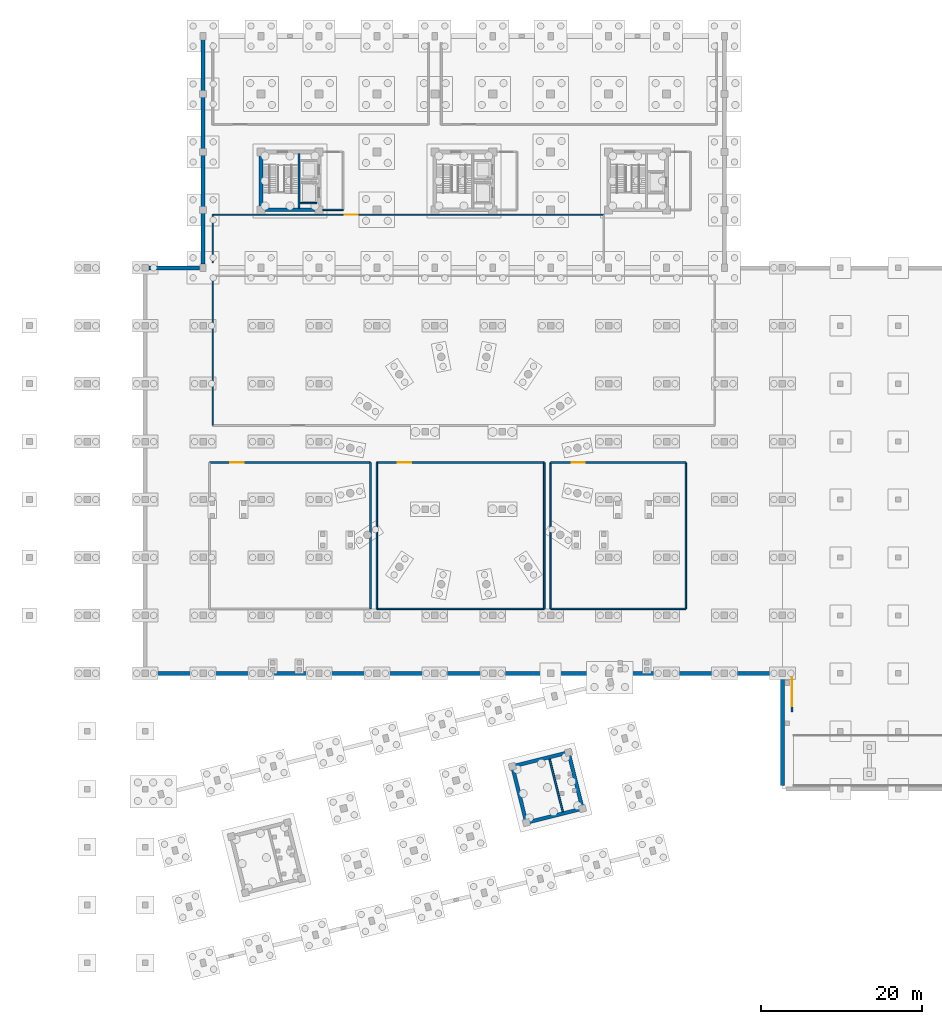
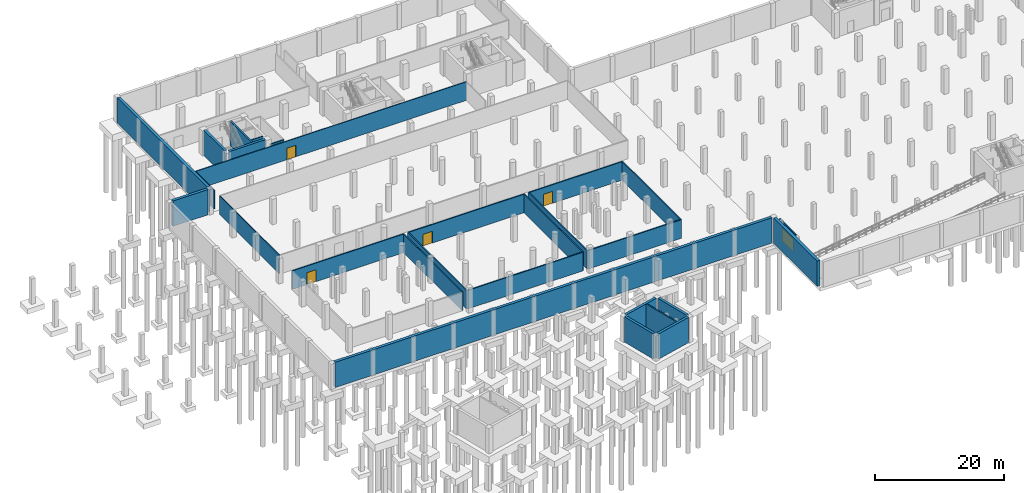
# One storey, part 10 of 19: 28 walls, 5 doors, 5 openings.
"""IFC4 building model written with IfcOpenShell, lengths in metres."""

from ifc_helpers import new_model, si_unit, direction, frame, frame_2d, origin, place, context, subcontext, project, spatial, rectangle, extrude, material, layer, layer_set, type_object, element, fill, save


model = new_model("IFC4")

# Units and contexts
model_context = context("Model", 3, precision=1e-05, world=origin(), true_north=direction((0.0, 1.0)))
body_context = subcontext(model_context, "Body", "Model", "MODEL_VIEW")
ifc_project = project(units=[si_unit("LENGTHUNIT", "METRE"), si_unit("AREAUNIT", "SQUARE_METRE"), si_unit("VOLUMEUNIT", "CUBIC_METRE"), si_unit("PLANEANGLEUNIT", "RADIAN"), si_unit("MASSUNIT", "GRAM", prefix="KILO")], contexts=[model_context])

# Site, building, storey
site_placement = place(None, origin())
site = spatial("IfcSite", under=ifc_project, at=site_placement, CompositionType="ELEMENT")
building_placement = place(site_placement, origin())
building = spatial("IfcBuilding", under=site, at=building_placement, Name="Qiaolan Assembly House", CompositionType="ELEMENT")
storey_placement = place(building_placement, frame((0.0, 0.0, -4.800048828125)))
storey = spatial("IfcBuildingStorey", under=building, at=storey_placement, Name="B1", CompositionType="ELEMENT", Elevation=-4.800048828125)

# Walls
ifc_material_1 = material(Name="Concrete C45/55", Category="concrete")
ifc_layer_1 = layer(ifc_material_1, 0.5)
ifc_layer_set_1 = layer_set([ifc_layer_1], Name="Concrete C45/55")
wall_type_1 = type_object("IfcWallType", Name="WAL-BSMT-500", PredefinedType="STANDARD", material=ifc_layer_set_1)
wall_1_placement = place(storey_placement, frame((108.0, 22.050048828125, 0.0), z_axis=(0.0, 0.0, 1.0), x_axis=(0.0, 1.0, 0.0)))
element("IfcWall", 1, at=wall_1_placement, inside=storey, type_object=wall_type_1, Name="BW-500 basement retaining wall LIB-W", PredefinedType="STANDARD", context=body_context, shape_type="SweptSolid", body=[
    extrude(rectangle(XDim=13.5, YDim=0.5, at=frame_2d((6.75, 0.0))), origin(), (0.0, 0.0, 1.0), 4.800048828125),
])
wall_2_placement = place(storey_placement, frame((107.550048828125, 36.0, 0.0), z_axis=(0.0, 0.0, 1.0), x_axis=(-1.0, 0.0, 0.0)))
element("IfcWall", 2, at=wall_2_placement, inside=storey, type_object=wall_type_1, Name="BW-500 basement retaining wall HALL-S", PredefinedType="STANDARD", context=body_context, shape_type="SweptSolid", body=[
    extrude(rectangle(XDim=78.300048828125, YDim=0.5, at=frame_2d((39.14990234375, 0.0))), origin(), (0.0, 0.0, 1.0), 4.800048828125),
])
wall_3_placement = place(storey_placement, frame((29.25, 86.39990234375, 0.0), z_axis=(0.0, 0.0, 1.0), x_axis=(1.0, 0.0, 0.0)))
element("IfcWall", 3, at=wall_3_placement, inside=storey, type_object=wall_type_1, Name="BW-500 basement retaining wall NW-SW", PredefinedType="STANDARD", context=body_context, shape_type="SweptSolid", body=[
    extrude(rectangle(XDim=6.300048828125, YDim=0.5, at=frame_2d((3.14990234375, 0.0))), origin(), (0.0, 0.0, 1.0), 4.800048828125),
])
wall_4_placement = place(storey_placement, frame((36.0, 86.85009765625, 0.0), z_axis=(0.0, 0.0, 1.0), x_axis=(0.0, 1.0, 0.0)))
element("IfcWall", 4, at=wall_4_placement, inside=storey, type_object=wall_type_1, Name="BW-500 basement retaining wall NW-W", PredefinedType="STANDARD", context=body_context, shape_type="SweptSolid", body=[
    extrude(rectangle(XDim=27.89990234375, YDim=0.5, at=frame_2d((13.949951171875, 0.0))), origin(), (0.0, 0.0, 1.0), 4.800048828125),
])
ifc_material_2 = material(Name="Concrete C50/60", Category="concrete")
ifc_layer_2 = layer(ifc_material_2, 0.449951171875)
ifc_layer_set_2 = layer_set([ifc_layer_2], Name="Concrete C50/60")
wall_type_2 = type_object("IfcWallType", Name="WAL-CORE-450", PredefinedType="SHEAR", material=ifc_layer_set_2)
for number, where, z_axis, x_axis, name in (
    (5, (43.550048828125, 93.60009765625, 0.0), (0.0, 0.0, 1.0), (1.0, 0.0, 0.0), "CW-450 shear core wall CORE-A S B1"),
    (6, (43.199951171875, 100.449951171875, 0.0), (0.0, 0.0, 1.0), (0.0, -1.0, 0.0), "CW-450 shear core wall CORE-A W B1"),
    (7, (76.5146484375, 17.521728515625, 0.0), (0.0, 0.0, 1.0), (0.970294759049, 0.241925774902, 0.0), "CW-450 shear core wall CORE-D S B1"),
    (8, (83.076416015625, 19.5185546875, 0.0), (0.0, 0.0, 1.0), (-0.241925774902, 0.970294759049, 0.0), "CW-450 shear core wall CORE-D E B1"),
    (9, (81.07958984375, 26.08056640625, 0.0), (0.0, 0.0, 1.0), (-0.970294759049, -0.241925774902, 0.0), "CW-450 shear core wall CORE-D N B1"),
    (10, (74.517822265625, 24.083740234375, 0.0), (0.0, 0.0, 1.0), (0.241925774902, -0.970294759049, 0.0), "CW-450 shear core wall CORE-D W B1"),
):
    element("IfcWall", number, at=place(storey_placement, frame(where, z_axis=z_axis, x_axis=x_axis)), inside=storey, type_object=wall_type_2, Name=name, PredefinedType="SHEAR", context=body_context, shape_type="SweptSolid", body=[
        extrude(rectangle(XDim=6.5, YDim=0.449951171875, at=frame_2d((3.25, 0.0))), origin(), (0.0, 0.0, 1.0), 4.800048828125),
    ])

# Wall, opening, door
ifc_material_3 = material(Name="Concrete C35/45", Category="concrete")
ifc_layer_3 = layer(ifc_material_3, 0.199951171875)
ifc_layer_set_3 = layer_set([ifc_layer_3], Name="Concrete C35/45")
wall_type_3 = type_object("IfcWallType", Name="WAL-LOBBY-200", PredefinedType="PARTITIONING", material=ifc_layer_set_3)
wall_5_placement = place(storey_placement, frame((109.199951171875, 31.199951171875, 0.0), z_axis=(0.0, 0.0, 1.0), x_axis=(0.0, 1.0, 0.0)))
wall_5 = element("IfcWall", 11, at=wall_5_placement, inside=storey, type_object=wall_type_3, Name="LW-200 B1 car park vehicle entry portal wall", PredefinedType="PARTITIONING", context=body_context, shape_type="SweptSolid", body=[
    extrude(rectangle(XDim=5.0, YDim=0.199951171875, at=frame_2d((2.5, 0.0))), origin(), (0.0, 0.0, 1.0), 3.85009765625),
])
opening_1_placement = place(wall_5_placement, frame((0.699951171875, 0.0, 0.0)))
opening_1 = element("IfcOpeningElement", 12, at=opening_1_placement, cuts=wall_5, Name="Opening VG-001", PredefinedType="OPENING", context=body_context, shape_type="SweptSolid", body=[
    extrude(rectangle(XDim=3.60009765625, YDim=2.5, at=frame_2d((1.800048828125, 1.25))), frame((0.0, 0.10986328125, 0.0), z_axis=(0.0, -1.0, 0.0), x_axis=(1.0, 0.0, 0.0)), (0.0, 0.0, 1.0), 0.219970703125),
])
ifc_material_4 = material(Name="Steel Q355B", Category="steel")
door_type_1 = type_object("IfcDoorType", Name="DOR-VEH-GATE-3600", OperationType="ROLLINGUP", PredefinedType="GATE", material=ifc_material_4)
door_1_placement = place(opening_1_placement, origin())
door_1 = element("IfcDoor", 13, at=door_1_placement, inside=storey, type_object=door_type_1, Name="Basement Car Park Vehicle Roller-Shutter Portal Gate VG-001", OperationType="ROLLINGUP", OverallHeight=2.5, OverallWidth=3.60009765625, PredefinedType="GATE", context=body_context, shape_type="SweptSolid", body=[
    extrude(rectangle(XDim=3.60009765625, YDim=2.5, at=frame_2d((1.800048828125, 1.25))), frame((0.0, 0.02490234375, 0.0), z_axis=(0.0, -1.0, 0.0), x_axis=(1.0, 0.0, 0.0)), (0.0, 0.0, 1.0), 0.050048828125),
])
fill(opening_1, door_1)

# Wall
wall_6_placement = place(storey_placement, frame((50.8798828125, 93.60009765625, 0.0), z_axis=(0.0, 0.0, 1.0), x_axis=(1.0, 0.0, 0.0)))
element("IfcWall", 14, at=wall_6_placement, inside=storey, type_object=wall_type_3, Name="Firefighting lift lobby south wall CORE-A B1", PredefinedType="PARTITIONING", context=body_context, shape_type="SweptSolid", body=[
    extrude(rectangle(XDim=2.52001953125, YDim=0.199951171875, at=frame_2d((1.260009765625, 0.0))), origin(), (0.0, 0.0, 1.0), 3.52001953125),
])

# Wall, opening, door
wall_7_placement = place(storey_placement, frame((36.800048828125, 62.199951171875, 0.0), z_axis=(0.0, 0.0, 1.0), x_axis=(1.0, 0.0, 0.0)))
wall_7 = element("IfcWall", 15, at=wall_7_placement, inside=storey, type_object=wall_type_3, Name="District Chiller & Heat-Pump Plant Room corridor wall", PredefinedType="PARTITIONING", context=body_context, shape_type="SweptSolid", body=[
    extrude(rectangle(XDim=20.0, YDim=0.199951171875, at=frame_2d((10.0, 0.0))), origin(), (0.0, 0.0, 1.0), 3.52001953125),
])
opening_2_placement = place(wall_7_placement, frame((2.60009765625, 0.0, 0.0)))
opening_2 = element("IfcOpeningElement", 16, at=opening_2_placement, cuts=wall_7, Name="Opening PD-137", PredefinedType="OPENING", context=body_context, shape_type="SweptSolid", body=[
    extrude(rectangle(XDim=1.64990234375, YDim=2.25, at=frame_2d((0.824951171875, 1.125))), frame((0.0, 0.10986328125, 0.0), z_axis=(0.0, -1.0, 0.0), x_axis=(1.0, 0.0, 0.0)), (0.0, 0.0, 1.0), 0.219970703125),
])
door_type_2 = type_object("IfcDoorType", Name="DOR-PLANT-STL-1600", OperationType="DOUBLE_DOOR_SINGLE_SWING", PredefinedType="DOOR", material=ifc_material_4)
door_2_placement = place(opening_2_placement, origin())
door_2 = element("IfcDoor", 17, at=door_2_placement, inside=storey, type_object=door_type_2, Name="Plant/vault fire door PD-137", OperationType="DOUBLE_DOOR_SINGLE_SWING", OverallHeight=2.25, OverallWidth=1.64990234375, PredefinedType="DOOR", context=body_context, shape_type="SweptSolid", body=[
    extrude(rectangle(XDim=1.64990234375, YDim=2.25, at=frame_2d((0.824951171875, 1.125))), frame((0.0, 0.02490234375, 0.0), z_axis=(0.0, -1.0, 0.0), x_axis=(1.0, 0.0, 0.0)), (0.0, 0.0, 1.0), 0.050048828125),
])
fill(opening_2, door_2)

# Wall
wall_8_placement = place(storey_placement, frame((56.800048828125, 44.0, 0.0), z_axis=(0.0, 0.0, 1.0), x_axis=(0.0, 1.0, 0.0)))
element("IfcWall", 18, at=wall_8_placement, inside=storey, type_object=wall_type_3, Name="District Chiller & Heat-Pump Plant Room east wall", PredefinedType="PARTITIONING", context=body_context, shape_type="SweptSolid", body=[
    extrude(rectangle(XDim=18.199951171875, YDim=0.199951171875, at=frame_2d((9.10009765625, 0.0))), origin(), (0.0, 0.0, 1.0), 3.52001953125),
])

# Wall, opening, door
wall_9_placement = place(storey_placement, frame((57.60009765625, 62.199951171875, 0.0), z_axis=(0.0, 0.0, 1.0), x_axis=(1.0, 0.0, 0.0)))
wall_9 = element("IfcWall", 19, at=wall_9_placement, inside=storey, type_object=wall_type_3, Name="10kV Dual-Feed Substation & Emergency Generator Hall corridor wall", PredefinedType="PARTITIONING", context=body_context, shape_type="SweptSolid", body=[
    extrude(rectangle(XDim=20.7998046875, YDim=0.199951171875, at=frame_2d((10.39990234375, 0.0))), origin(), (0.0, 0.0, 1.0), 3.52001953125),
])
opening_3_placement = place(wall_9_placement, frame((2.60009765625, 0.0, 0.0)))
opening_3 = element("IfcOpeningElement", 20, at=opening_3_placement, cuts=wall_9, Name="Opening PD-138", PredefinedType="OPENING", context=body_context, shape_type="SweptSolid", body=[
    extrude(rectangle(XDim=1.64990234375, YDim=2.25, at=frame_2d((0.824951171875, 1.125))), frame((0.0, 0.10986328125, 0.0), z_axis=(0.0, -1.0, 0.0), x_axis=(1.0, 0.0, 0.0)), (0.0, 0.0, 1.0), 0.219970703125),
])
door_3_placement = place(opening_3_placement, origin())
door_3 = element("IfcDoor", 21, at=door_3_placement, inside=storey, type_object=door_type_2, Name="Plant/vault fire door PD-138", OperationType="DOUBLE_DOOR_SINGLE_SWING", OverallHeight=2.25, OverallWidth=1.64990234375, PredefinedType="DOOR", context=body_context, shape_type="SweptSolid", body=[
    extrude(rectangle(XDim=1.64990234375, YDim=2.25, at=frame_2d((0.824951171875, 1.125))), frame((0.0, 0.02490234375, 0.0), z_axis=(0.0, -1.0, 0.0), x_axis=(1.0, 0.0, 0.0)), (0.0, 0.0, 1.0), 0.050048828125),
])
fill(opening_3, door_3)

# Walls
for number, where, z_axis, x_axis, name in (
    (22, (78.39990234375, 44.0, 0.0), (0.0, 0.0, 1.0), (0.0, 1.0, 0.0), "10kV Dual-Feed Substation & Emergency Generator Hall east wall"),
    (23, (57.60009765625, 62.199951171875, 0.0), (0.0, 0.0, 1.0), (0.0, -1.0, 0.0), "10kV Dual-Feed Substation & Emergency Generator Hall west wall"),
):
    element("IfcWall", number, at=place(storey_placement, frame(where, z_axis=z_axis, x_axis=x_axis)), inside=storey, type_object=wall_type_3, Name=name, PredefinedType="PARTITIONING", context=body_context, shape_type="SweptSolid", body=[
        extrude(rectangle(XDim=18.199951171875, YDim=0.199951171875, at=frame_2d((9.10009765625, 0.0))), origin(), (0.0, 0.0, 1.0), 3.52001953125),
    ])
wall_10_placement = place(storey_placement, frame((78.39990234375, 44.0, 0.0), z_axis=(0.0, 0.0, 1.0), x_axis=(-1.0, 0.0, 0.0)))
element("IfcWall", 24, at=wall_10_placement, inside=storey, type_object=wall_type_3, Name="10kV Dual-Feed Substation & Emergency Generator Hall south wall", PredefinedType="PARTITIONING", context=body_context, shape_type="SweptSolid", body=[
    extrude(rectangle(XDim=20.7998046875, YDim=0.199951171875, at=frame_2d((10.39990234375, 0.0))), origin(), (0.0, 0.0, 1.0), 3.52001953125),
])

# Wall, opening, door
wall_11_placement = place(storey_placement, frame((79.199951171875, 62.199951171875, 0.0), z_axis=(0.0, 0.0, 1.0), x_axis=(1.0, 0.0, 0.0)))
wall_11 = element("IfcWall", 25, at=wall_11_placement, inside=storey, type_object=wall_type_3, Name="Domestic & Fire Water Pump Room corridor wall", PredefinedType="PARTITIONING", context=body_context, shape_type="SweptSolid", body=[
    extrude(rectangle(XDim=16.800048828125, YDim=0.199951171875, at=frame_2d((8.39990234375, 0.0))), origin(), (0.0, 0.0, 1.0), 3.52001953125),
])
opening_4_placement = place(wall_11_placement, frame((2.60009765625, 0.0, 0.0)))
opening_4 = element("IfcOpeningElement", 26, at=opening_4_placement, cuts=wall_11, Name="Opening PD-139", PredefinedType="OPENING", context=body_context, shape_type="SweptSolid", body=[
    extrude(rectangle(XDim=1.64990234375, YDim=2.25, at=frame_2d((0.824951171875, 1.125))), frame((0.0, 0.10986328125, 0.0), z_axis=(0.0, -1.0, 0.0), x_axis=(1.0, 0.0, 0.0)), (0.0, 0.0, 1.0), 0.219970703125),
])
door_4_placement = place(opening_4_placement, origin())
door_4 = element("IfcDoor", 27, at=door_4_placement, inside=storey, type_object=door_type_2, Name="Plant/vault fire door PD-139", OperationType="DOUBLE_DOOR_SINGLE_SWING", OverallHeight=2.25, OverallWidth=1.64990234375, PredefinedType="DOOR", context=body_context, shape_type="SweptSolid", body=[
    extrude(rectangle(XDim=1.64990234375, YDim=2.25, at=frame_2d((0.824951171875, 1.125))), frame((0.0, 0.02490234375, 0.0), z_axis=(0.0, -1.0, 0.0), x_axis=(1.0, 0.0, 0.0)), (0.0, 0.0, 1.0), 0.050048828125),
])
fill(opening_4, door_4)

# Walls
for number, where, z_axis, x_axis, name in (
    (28, (96.0, 44.0, 0.0), (0.0, 0.0, 1.0), (0.0, 1.0, 0.0), "Domestic & Fire Water Pump Room east wall"),
    (29, (79.199951171875, 62.199951171875, 0.0), (0.0, 0.0, 1.0), (0.0, -1.0, 0.0), "Domestic & Fire Water Pump Room west wall"),
):
    element("IfcWall", number, at=place(storey_placement, frame(where, z_axis=z_axis, x_axis=x_axis)), inside=storey, type_object=wall_type_3, Name=name, PredefinedType="PARTITIONING", context=body_context, shape_type="SweptSolid", body=[
        extrude(rectangle(XDim=18.199951171875, YDim=0.199951171875, at=frame_2d((9.10009765625, 0.0))), origin(), (0.0, 0.0, 1.0), 3.52001953125),
    ])
wall_12_placement = place(storey_placement, frame((96.0, 44.0, 0.0), z_axis=(0.0, 0.0, 1.0), x_axis=(-1.0, 0.0, 0.0)))
element("IfcWall", 30, at=wall_12_placement, inside=storey, type_object=wall_type_3, Name="Domestic & Fire Water Pump Room south wall", PredefinedType="PARTITIONING", context=body_context, shape_type="SweptSolid", body=[
    extrude(rectangle(XDim=16.800048828125, YDim=0.199951171875, at=frame_2d((8.39990234375, 0.0))), origin(), (0.0, 0.0, 1.0), 3.52001953125),
])
ifc_material_5 = material(Name="Gypsum plasterboard partition")
ifc_layer_4 = layer(ifc_material_5, 0.14990234375)
ifc_layer_set_4 = layer_set([ifc_layer_4], Name="Gypsum plasterboard partition")
wall_type_4 = type_object("IfcWallType", Name="WAL-PART-150", PredefinedType="PARTITIONING", material=ifc_layer_set_4)
wall_13_placement = place(storey_placement, frame((37.199951171875, 85.39990234375, 0.0), z_axis=(0.0, 0.0, 1.0), x_axis=(0.0, -1.0, 0.0)))
element("IfcWall", 31, at=wall_13_placement, inside=storey, type_object=wall_type_4, Name="Municipal Public Archive Reference Hall west wall", PredefinedType="PARTITIONING", context=body_context, shape_type="SweptSolid", body=[
    extrude(rectangle(XDim=18.599853515625, YDim=0.14990234375, at=frame_2d((9.2998046875, 0.0))), origin(), (0.0, 0.0, 1.0), 3.52001953125),
])

# Wall, opening, door
wall_14_placement = place(storey_placement, frame((37.199951171875, 93.0, 0.0), z_axis=(0.0, 0.0, 1.0), x_axis=(1.0, 0.0, 0.0)))
wall_14 = element("IfcWall", 32, at=wall_14_placement, inside=storey, type_object=wall_type_4, Name="Civic Staff Training & Records Digitisation Centre south wall", PredefinedType="PARTITIONING", context=body_context, shape_type="SweptSolid", body=[
    extrude(rectangle(XDim=48.60009765625, YDim=0.14990234375, at=frame_2d((24.300048828125, 0.0))), origin(), (0.0, 0.0, 1.0), 3.52001953125),
])
opening_5_placement = place(wall_14_placement, frame((16.39990234375, 0.0, 0.0)))
opening_5 = element("IfcOpeningElement", 33, at=opening_5_placement, cuts=wall_14, Name="Opening AD-136", PredefinedType="OPENING", context=body_context, shape_type="SweptSolid", body=[
    extrude(rectangle(XDim=1.60009765625, YDim=2.199951171875, at=frame_2d((0.800048828125, 1.10009765625))), frame((0.0, 0.0849609375, 0.0), z_axis=(0.0, -1.0, 0.0), x_axis=(1.0, 0.0, 0.0)), (0.0, 0.0, 1.0), 0.169921875),
])
ifc_material_6 = material(Name="Acoustic oak panelling")
door_type_3 = type_object("IfcDoorType", Name="DOR-COMM-DBL-1600", OperationType="DOUBLE_DOOR_SINGLE_SWING", PredefinedType="DOOR", material=ifc_material_6)
door_5_placement = place(opening_5_placement, origin())
door_5 = element("IfcDoor", 34, at=door_5_placement, inside=storey, type_object=door_type_3, Name="Records Digitisation Centre door AD-136", OperationType="DOUBLE_DOOR_SINGLE_SWING", OverallHeight=2.199951171875, OverallWidth=1.60009765625, PredefinedType="DOOR", context=body_context, shape_type="SweptSolid", body=[
    extrude(rectangle(XDim=1.60009765625, YDim=2.199951171875, at=frame_2d((0.800048828125, 1.10009765625))), frame((0.0, 0.02490234375, 0.0), z_axis=(0.0, -1.0, 0.0), x_axis=(1.0, 0.0, 0.0)), (0.0, 0.0, 1.0), 0.050048828125),
])
fill(opening_5, door_5)

# Walls
wall_15_placement = place(storey_placement, frame((37.199951171875, 93.0, 0.0), z_axis=(0.0, 0.0, 1.0), x_axis=(0.0, -1.0, 0.0)))
element("IfcWall", 35, at=wall_15_placement, inside=storey, type_object=wall_type_4, Name="Civic Staff Training west wall", PredefinedType="PARTITIONING", context=body_context, shape_type="SweptSolid", body=[
    extrude(rectangle(XDim=6.0, YDim=0.14990234375, at=frame_2d((3.0, 0.0))), origin(), (0.0, 0.0, 1.0), 3.52001953125),
])
ifc_layer_5 = layer(ifc_material_3, 0.18505859375)
ifc_layer_set_5 = layer_set([ifc_layer_5], Name="Concrete C35/45")
wall_type_5 = type_object("IfcWallType", Name="WAL-SHAFT-200", PredefinedType="PARTITIONING", material=ifc_layer_set_5)
wall_16_placement = place(storey_placement, frame((48.050048828125, 94.449951171875, 0.0), z_axis=(0.0, 0.0, 1.0), x_axis=(1.0, 0.0, 0.0)))
element("IfcWall", 36, at=wall_16_placement, inside=storey, type_object=wall_type_5, Name="SW-200 lift shaft wall LF-01 B1 DIVS", PredefinedType="PARTITIONING", context=body_context, shape_type="SweptSolid", body=[
    extrude(rectangle(XDim=2.099853515625, YDim=0.18505859375, at=frame_2d((1.0498046875, 0.0))), origin(), (0.0, 0.0, 1.0), 4.800048828125),
])
ifc_material_7 = material(Name="Concrete C40/50", Category="concrete")
ifc_layer_6 = layer(ifc_material_7, 0.22509765625)
ifc_layer_set_6 = layer_set([ifc_layer_6], Name="Concrete C40/50")
wall_type_6 = type_object("IfcWallType", Name="WAL-STAIR-DIV-225", PredefinedType="SHEAR", material=ifc_layer_set_6)
for number, where, z_axis, x_axis, name in (
    (37, (47.919921875, 93.820068359375, 0.0), (0.0, 0.0, 1.0), (0.0, 1.0, 0.0), "SDW-225 stairwell structural spine wall CORE-A B1"),
    (38, (80.701416015625, 18.79248046875, 0.0), (0.0, 0.0, 1.0), (-0.241898249226, 0.970301621673, 0.0), "SDW-225 stairwell structural spine wall CORE-D B1"),
):
    element("IfcWall", number, at=place(storey_placement, frame(where, z_axis=z_axis, x_axis=x_axis)), inside=storey, type_object=wall_type_6, Name=name, PredefinedType="SHEAR", context=body_context, shape_type="SweptSolid", body=[
        extrude(rectangle(XDim=6.760009765625, YDim=0.22509765625, at=frame_2d((3.3798828125, 0.0))), origin(), (0.0, 0.0, 1.0), 4.800048828125),
    ])

save(model, "model.ifc")
